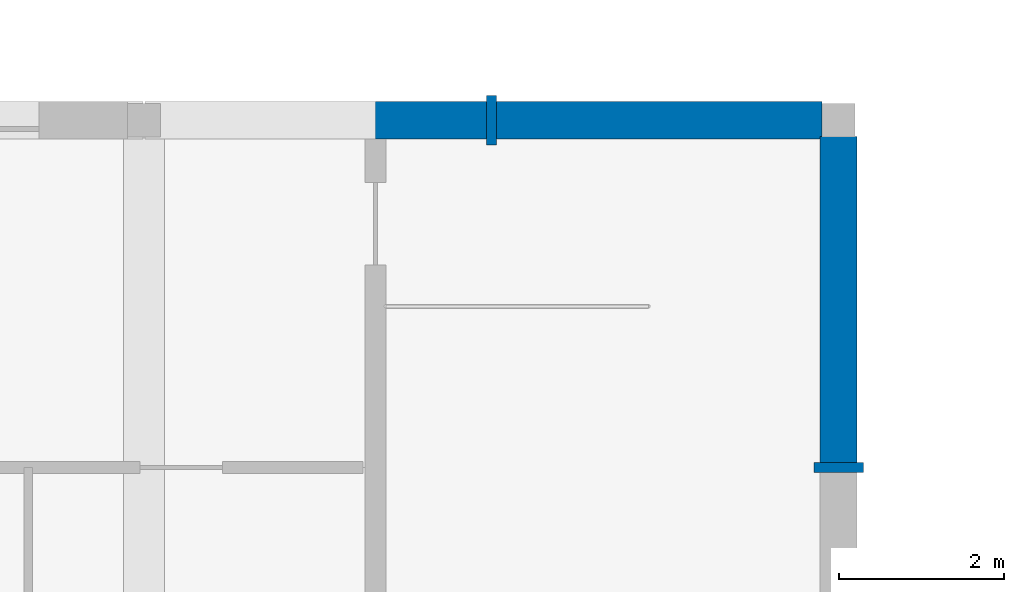
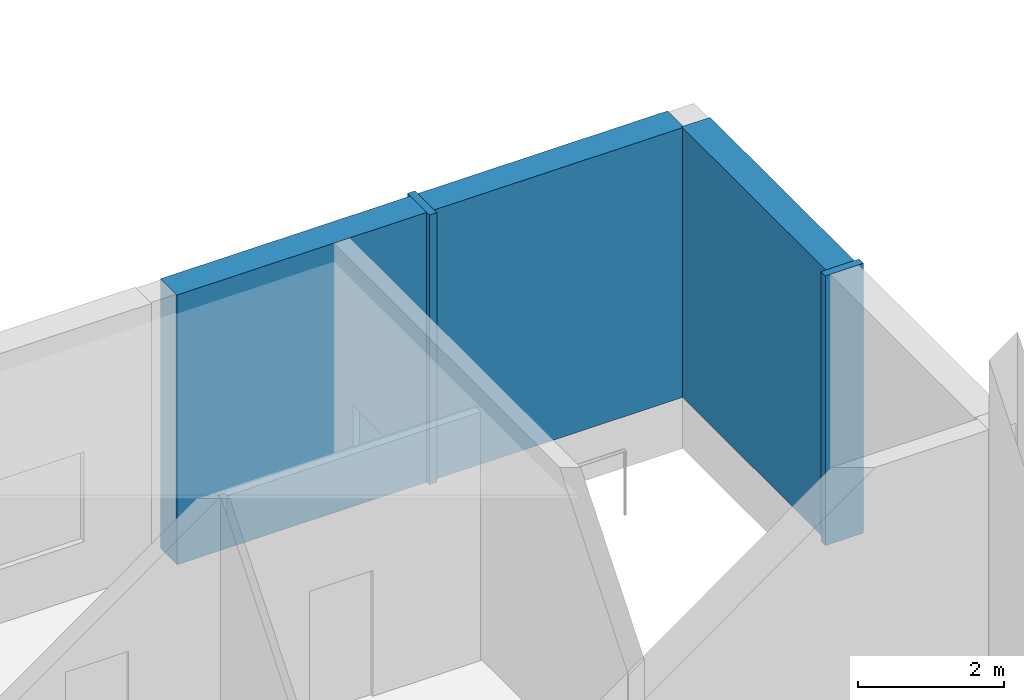
# One storey, part 103 of 116: 5 walls.
"""IFC4 building model written with IfcOpenShell, lengths in metres."""

from ifc_helpers import new_model, si_unit, direction, frame, frame_2d, origin, place, context, subcontext, project, spatial, rectangle, extrude, material, layer, layer_set, type_object, element, save


model = new_model("IFC4")

# Units and contexts
model_context = context("Model", 3, precision=1e-05, world=origin(), true_north=direction((0.0, 1.0)))
body_context = subcontext(model_context, "Body", "Model", "MODEL_VIEW")
ifc_project = project(units=[si_unit("LENGTHUNIT", "METRE"), si_unit("AREAUNIT", "SQUARE_METRE"), si_unit("VOLUMEUNIT", "CUBIC_METRE"), si_unit("PLANEANGLEUNIT", "RADIAN"), si_unit("MASSUNIT", "GRAM", prefix="KILO")], contexts=[model_context])

# Site, building, storey
site_placement = place(None, origin())
site = spatial("IfcSite", under=ifc_project, at=site_placement, CompositionType="ELEMENT")
building_placement = place(site_placement, origin())
building = spatial("IfcBuilding", under=site, at=building_placement, Name="Fescue Hill Polytechnic", CompositionType="ELEMENT")
storey_placement = place(building_placement, frame((0.0, 0.0, 13.5)))
storey = spatial("IfcBuildingStorey", under=building, at=storey_placement, Name="L03", CompositionType="ELEMENT", Elevation=13.5)

# Walls
ifc_material_1 = material(Name="Concrete 40 MPa", Category="concrete")
ifc_layer_1 = layer(ifc_material_1, 0.449951171875)
ifc_layer_set_1 = layer_set([ifc_layer_1], Name="Concrete 40 MPa")
wall_type_1 = type_object("IfcWallType", Name="Exterior wall board-marked concrete 450 load-bearing", PredefinedType="SOLIDWALL", material=ifc_layer_set_1)
for number, where, z_axis, x_axis, name in (
    (1, (142.800048828125, 96.659912109375, 0.0), (0.0, 0.0, 1.0), (0.0, 1.0, 0.0), "EW-L03-V2-2"),
    (2, (142.60009765625, 100.800048828125, 0.0), (0.0, 0.0, 1.0), (-1.0, 0.0, 0.0), "EW-L03-V2-3"),
):
    element("IfcWall", number, at=place(storey_placement, frame(where, z_axis=z_axis, x_axis=x_axis)), inside=storey, type_object=wall_type_1, Name=name, PredefinedType="SOLIDWALL", context=body_context, shape_type="SweptSolid", body=[
        extrude(rectangle(XDim=3.940185546875, YDim=0.449951171875, at=frame_2d((1.97021484375, 0.0))), origin(), (0.0, 0.0, 1.0), 4.5),
    ])
wall_placement = place(storey_placement, frame((138.5400390625, 100.800048828125, 0.0), z_axis=(0.0, 0.0, 1.0), x_axis=(-1.0, 0.0, 0.0)))
element("IfcWall", 3, at=wall_placement, inside=storey, type_object=wall_type_1, Name="EW-L03-V2-4", PredefinedType="SOLIDWALL", context=body_context, shape_type="SweptSolid", body=[
    extrude(rectangle(XDim=3.93994140625, YDim=0.449951171875, at=frame_2d((1.969970703125, 0.0))), origin(), (0.0, 0.0, 1.0), 4.5),
])
ifc_material_2 = material(Name="Glulam 24f-EX", Category="wood")
ifc_layer_2 = layer(ifc_material_2, 0.60009765625)
ifc_layer_set_2 = layer_set([ifc_layer_2], Name="Glulam 24f-EX")
wall_type_2 = type_object("IfcWallType", Name="Timber fin 120x600", PredefinedType="SOLIDWALL", material=ifc_layer_set_2)
for number, where, z_axis, x_axis, name in (
    (4, (142.800048828125, 96.5400390625, 0.0), (0.0, 0.0, 1.0), (0.0, 1.0, 0.0), "PR-L03-V2-1"),
    (5, (138.659912109375, 100.800048828125, 0.0), (0.0, 0.0, 1.0), (-1.0, 0.0, 0.0), "PR-L03-V2-2"),
):
    element("IfcWall", number, at=place(storey_placement, frame(where, z_axis=z_axis, x_axis=x_axis)), inside=storey, type_object=wall_type_2, Name=name, PredefinedType="SOLIDWALL", context=body_context, shape_type="SweptSolid", body=[
        extrude(rectangle(XDim=0.119873046875, YDim=0.60009765625, at=frame_2d((0.06005859375, 0.0))), origin(), (0.0, 0.0, 1.0), 4.5),
    ])

save(model, "model.ifc")
